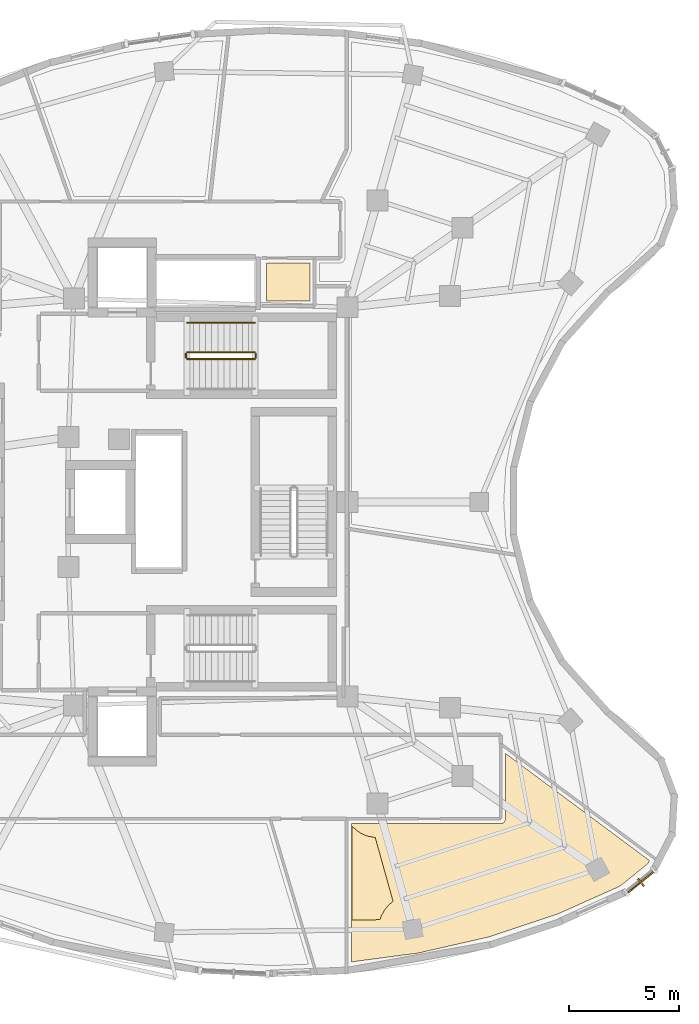
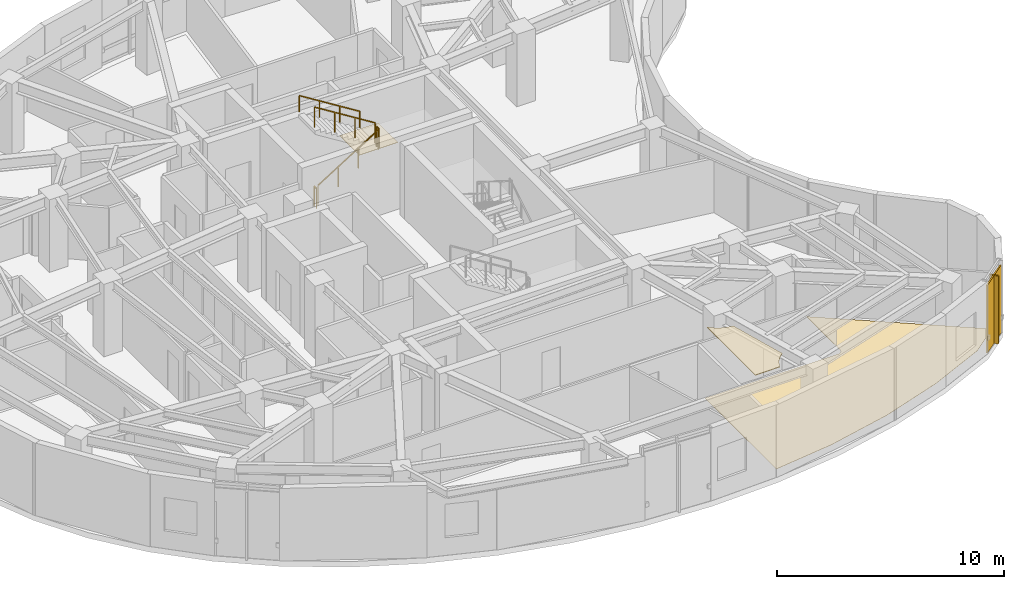
# One storey, part 12 of 13: 5 railings, 3 coverings, 2 shading devices.
"""IFC4 building model written with IfcOpenShell, lengths in metres."""

from ifc_helpers import new_model, si_unit, direction, frame, origin, origin_2d, place, context, subcontext, project, spatial, polyline, rectangle, outline, extrude, material, layer, layer_set, type_object, element, save


model = new_model("IFC4")

# Units and contexts
model_context = context("Model", 3, precision=1e-05, world=origin(), true_north=direction((0.0, 1.0)))
body_context = subcontext(model_context, "Body", "Model", "MODEL_VIEW")
ifc_project = project(units=[si_unit("LENGTHUNIT", "METRE"), si_unit("AREAUNIT", "SQUARE_METRE"), si_unit("VOLUMEUNIT", "CUBIC_METRE"), si_unit("PLANEANGLEUNIT", "RADIAN"), si_unit("MASSUNIT", "GRAM", prefix="KILO")], contexts=[model_context])

# Site, building, storey
site_placement = place(None, origin())
site = spatial("IfcSite", under=ifc_project, at=site_placement, CompositionType="ELEMENT")
building_placement = place(site_placement, origin())
building = spatial("IfcBuilding", under=site, at=building_placement, Name="Korentha Bioscience Tower", CompositionType="ELEMENT")
storey_placement = place(building_placement, frame((0.0, 0.0, 243.60009765625)))
storey = spatial("IfcBuildingStorey", under=building, at=storey_placement, Name="L56", CompositionType="ELEMENT", Elevation=243.60009765625)

# Covering
ifc_material_1 = material(Name="Vitrified Porcelain Tile", Category="ceramic")
ifc_layer_1 = layer(ifc_material_1, 0.014892578125, Name="Vitrified Porcelain Tile")
ifc_layer_set_1 = layer_set([ifc_layer_1], Name="Vitrified Porcelain Tile (FL-CER)")
covering_type_1 = type_object("IfcCoveringType", Name="Anti-Slip Ceramic Wet-Room Tile Flooring 15", PredefinedType="FLOORING", material=ifc_layer_set_1)
covering_1_placement = place(storey_placement, origin())
element("IfcCovering", 1, at=covering_1_placement, inside=storey, type_object=covering_type_1, Name="L56 Accessible Staff WC Floor Finish", PredefinedType="FLOORING", context=body_context, shape_type="SweptSolid", body=[
    extrude(outline(polyline([(33.8701171875, 36.1298828125), (33.8701171875, 37.8701171875), (35.830078125, 37.8701171875), (35.830078125, 36.1298828125), (33.8701171875, 36.1298828125)])), origin(), (0.0, 0.0, 1.0), 0.014892578125),
])

# Railing
ifc_material_2 = material(Name="Stainless Steel 304", Category="steel")
railing_type_1 = type_object("IfcRailingType", Name="Brushed Stainless Stair Handrail 900", PredefinedType="HANDRAIL", material=ifc_material_2)
railing_1_placement = place(storey_placement, frame((33.330078125, 35.14990234375, 2.27490234375)))
element("IfcRailing", 2, at=railing_1_placement, inside=storey, type_object=railing_type_1, Name="L56 ST-1 stair handrail 2", PredefinedType="HANDRAIL", context=body_context, shape_type="SweptSolid", body=[
    extrude(rectangle(XDim=0.048095703125, YDim=0.048095703125, at=origin_2d()), frame((0.0, 0.0, 0.8759765625), z_axis=(-0.847998304005, 0.0, 0.529998940003), x_axis=(0.0, -1.0, 0.0)), (0.0, 0.0, 1.0), 3.632080078125),
    extrude(rectangle(XDim=0.0419921875, YDim=0.0419921875, at=origin_2d()), origin(), (0.0, 0.0, 1.0), 0.851806640625),
    extrude(rectangle(XDim=0.0419921875, YDim=0.0419921875, at=origin_2d()), frame((-1.026611328125, 0.0, 0.6416015625)), (0.0, 0.0, 1.0), 0.851806640625),
    extrude(rectangle(XDim=0.0419921875, YDim=0.0419921875, at=origin_2d()), frame((-2.053466796875, 0.0, 1.283447265625)), (0.0, 0.0, 1.0), 0.851806640625),
    extrude(rectangle(XDim=0.0419921875, YDim=0.0419921875, at=origin_2d()), frame((-3.080078125, 0.0, 1.925048828125)), (0.0, 0.0, 1.0), 0.851806640625),
])

# Covering
ifc_material_3 = material(Name="Antimicrobial Mineral Fibre Board", Category="gypsum")
ifc_layer_2 = layer(ifc_material_3, 0.034912109375, Name="Antimicrobial Mineral Fibre Board")
ifc_layer_set_2 = layer_set([ifc_layer_2], Name="Antimicrobial Mineral Fibre Board (CL-MF35)")
covering_type_2 = type_object("IfcCoveringType", Name="Mineral-Fibre Cleanroom Suspended Ceiling 35", PredefinedType="CEILING", material=ifc_layer_set_2)
covering_2_placement = place(storey_placement, frame((0.0, 0.0, 3.864990234375)))
element("IfcCovering", 3, at=covering_2_placement, inside=storey, type_object=covering_type_2, Name="L56 Grant Review Seminar Room 05 Acoustic Ceiling", PredefinedType="CEILING", context=body_context, shape_type="SweptSolid", body=[
    extrude(outline(polyline([(39.614990234375, 8.840576171875), (39.412841796875, 8.672119140625), (39.22021484375, 8.437255859375), (39.076904296875, 8.169189453125), (39.020751953125, 8.00634765625), (37.758056640625, 7.98974609375), (37.758056640625, 12.2529296875), (37.927734375, 12.087890625), (38.180419921875, 11.9189453125), (38.461181640625, 11.802734375), (38.803466796875, 11.7412109375), (39.614990234375, 8.840576171875)])), origin(), (0.0, 0.0, 1.0), 0.034912109375),
])

# Railings
ifc_material_4 = material(Name="Painted Steel S275", Category="steel")
railing_type_2 = type_object("IfcRailingType", Name="Painted Steel Stair Well Guardrail 1100", PredefinedType="GUARDRAIL", material=ifc_material_4)
railing_2_placement = place(storey_placement, frame((30.25, 33.5, 0.1748046875)))
element("IfcRailing", 4, at=railing_2_placement, inside=storey, type_object=railing_type_2, Name="L56 ST-1 stair guard 1", PredefinedType="GUARDRAIL", context=body_context, shape_type="SweptSolid", body=[
    extrude(rectangle(XDim=0.048095703125, YDim=0.048095703125, at=origin_2d()), frame((0.0, 0.0, 1.076171875), z_axis=(0.847998304005, 0.0, 0.529998940003), x_axis=(0.0, 1.0, 0.0)), (0.0, 0.0, 1.0), 3.632080078125),
    extrude(rectangle(XDim=0.0419921875, YDim=0.0419921875, at=origin_2d()), origin(), (0.0, 0.0, 1.0), 1.052001953125),
    extrude(rectangle(XDim=0.0419921875, YDim=0.0419921875, at=origin_2d()), frame((1.026611328125, 0.0, 0.6416015625)), (0.0, 0.0, 1.0), 1.052001953125),
    extrude(rectangle(XDim=0.0419921875, YDim=0.0419921875, at=origin_2d()), frame((2.053466796875, 0.0, 1.283447265625)), (0.0, 0.0, 1.0), 1.052001953125),
    extrude(rectangle(XDim=0.0419921875, YDim=0.0419921875, at=origin_2d()), frame((3.080078125, 0.0, 1.925048828125)), (0.0, 0.0, 1.0), 1.052001953125),
])
railing_3_placement = place(storey_placement, frame((33.3798828125, 33.550048828125, 2.099853515625)))
element("IfcRailing", 5, at=railing_3_placement, inside=storey, type_object=railing_type_2, Name="L56 ST-1 stair guard 2", PredefinedType="GUARDRAIL", context=body_context, shape_type="SweptSolid", body=[
    extrude(rectangle(XDim=0.048095703125, YDim=0.048095703125, at=origin_2d()), frame((0.0, 0.0, 1.076171875), z_axis=(0.0, 1.0, 0.0), x_axis=(-1.0, 0.0, 0.0)), (0.0, 0.0, 1.0), 0.199951171875),
    extrude(rectangle(XDim=0.0419921875, YDim=0.0419921875, at=origin_2d()), origin(), (0.0, 0.0, 1.0), 1.052001953125),
    extrude(rectangle(XDim=0.0419921875, YDim=0.0419921875, at=origin_2d()), frame((0.0, 0.199951171875, 0.0)), (0.0, 0.0, 1.0), 1.052001953125),
])
railing_4_placement = place(storey_placement, frame((33.330078125, 33.800048828125, 2.27490234375)))
element("IfcRailing", 6, at=railing_4_placement, inside=storey, type_object=railing_type_2, Name="L56 ST-1 stair guard 3", PredefinedType="GUARDRAIL", context=body_context, shape_type="SweptSolid", body=[
    extrude(rectangle(XDim=0.048095703125, YDim=0.048095703125, at=origin_2d()), frame((0.0, 0.0, 1.076171875), z_axis=(-0.847998304005, 0.0, 0.529998940003), x_axis=(0.0, -1.0, 0.0)), (0.0, 0.0, 1.0), 3.632080078125),
    extrude(rectangle(XDim=0.0419921875, YDim=0.0419921875, at=origin_2d()), origin(), (0.0, 0.0, 1.0), 1.052001953125),
    extrude(rectangle(XDim=0.0419921875, YDim=0.0419921875, at=origin_2d()), frame((-1.026611328125, 0.0, 0.6416015625)), (0.0, 0.0, 1.0), 1.052001953125),
    extrude(rectangle(XDim=0.0419921875, YDim=0.0419921875, at=origin_2d()), frame((-2.053466796875, 0.0, 1.283447265625)), (0.0, 0.0, 1.0), 1.052001953125),
    extrude(rectangle(XDim=0.0419921875, YDim=0.0419921875, at=origin_2d()), frame((-3.080078125, 0.0, 1.925048828125)), (0.0, 0.0, 1.0), 1.052001953125),
])
railing_5_placement = place(storey_placement, frame((30.199951171875, 33.550048828125, 0.0)))
element("IfcRailing", 7, at=railing_5_placement, inside=storey, type_object=railing_type_2, Name="L56 ST-1 stair guard 4", PredefinedType="GUARDRAIL", context=body_context, shape_type="SweptSolid", body=[
    extrude(rectangle(XDim=0.048095703125, YDim=0.048095703125, at=origin_2d()), frame((0.0, 0.0, 1.076171875), z_axis=(0.0, 1.0, 0.0), x_axis=(-1.0, 0.0, 0.0)), (0.0, 0.0, 1.0), 0.199951171875),
    extrude(rectangle(XDim=0.0419921875, YDim=0.0419921875, at=origin_2d()), origin(), (0.0, 0.0, 1.0), 1.052001953125),
    extrude(rectangle(XDim=0.0419921875, YDim=0.0419921875, at=origin_2d()), frame((0.0, 0.199951171875, 0.0)), (0.0, 0.0, 1.0), 1.052001953125),
])

# Shading device
ifc_material_5 = material(Name="Perforated Stone-Ceramic Composite", Category="masonry")
ifc_layer_3 = layer(ifc_material_5, 0.06494140625, Name="Perforated Stone-Ceramic Composite")
ifc_layer_set_3 = layer_set([ifc_layer_3], Name="Perforated Stone-Ceramic Composite (CS-01)")
shading_device_type_1 = type_object("IfcShadingDeviceType", Name="Perforated Stone-Ceramic Solar Screen Panel 65", PredefinedType="USERDEFINED", material=ifc_layer_set_3)
shading_device_1_placement = place(storey_placement, frame((50.87353515625, 9.712890625, 0.0), z_axis=(0.0, 0.0, 1.0), x_axis=(0.777226359638, 0.629221094596, 0.0)))
element("IfcShadingDevice", 8, at=shading_device_1_placement, inside=storey, type_object=shading_device_type_1, Name="CW-L56-37 Perforated Stone-Ceramic Solar Screen", ObjectType="SCREEN", PredefinedType="USERDEFINED", context=body_context, shape_type="SweptSolid", body=[
    extrude(rectangle(XDim=1.70703125, YDim=0.06494140625, at=origin_2d()), origin(), (0.0, 0.0, 1.0), 3.64990234375),
])

# Covering
ifc_material_6 = material(Name="Chemical-Resistant Epoxy Resin", Category="polymer")
ifc_layer_4 = layer(ifc_material_6, 0.011962890625, Name="Chemical-Resistant Epoxy Resin")
ifc_layer_set_4 = layer_set([ifc_layer_4], Name="Chemical-Resistant Epoxy Resin (FL-EPX)")
covering_type_3 = type_object("IfcCoveringType", Name="Seamless Epoxy Laboratory Flooring 12", PredefinedType="FLOORING", material=ifc_layer_set_4)
covering_3_placement = place(storey_placement, origin())
element("IfcCovering", 9, at=covering_3_placement, inside=storey, type_object=covering_type_3, Name="L56 Grant Review Seminar Room 05 Floor Finish", PredefinedType="FLOORING", context=body_context, shape_type="SweptSolid", body=[
    extrude(outline(polyline([(43.994384765625, 7.228759765625), (40.76708984375, 6.490478515625), (37.72802734375, 6.08837890625), (37.72802734375, 12.3701171875), (44.5, 12.3701171875), (44.597900390625, 12.391845703125), (44.68505859375, 12.46337890625), (44.729736328125, 12.589111328125), (44.72998046875, 15.562255859375), (51.27587890625, 10.693115234375), (51.20947265625, 10.563720703125), (49.940185546875, 9.5361328125), (47.0791015625, 8.254638671875), (43.994384765625, 7.228759765625)])), origin(), (0.0, 0.0, 1.0), 0.011962890625),
])

# Shading device
ifc_material_7 = material(Name="Honed Travertine Limestone", Category="masonry")
ifc_layer_5 = layer(ifc_material_7, 0.080078125, Name="Honed Travertine Limestone")
ifc_layer_set_5 = layer_set([ifc_layer_5], Name="Honed Travertine Limestone (CS-02)")
shading_device_type_2 = type_object("IfcShadingDeviceType", Name="Vertical Honed Limestone Sunshade Fin 80x420", PredefinedType="USERDEFINED", material=ifc_layer_set_5)
shading_device_2_placement = place(storey_placement, frame((50.88623046875, 9.697509765625, 0.0), z_axis=(0.0, 0.0, 1.0), x_axis=(0.777226359638, 0.629221094596, 0.0)))
element("IfcShadingDevice", 10, at=shading_device_2_placement, inside=storey, type_object=shading_device_type_2, Name="CW-L56-37 Limestone Sunshade Fin", ObjectType="SCREEN", PredefinedType="USERDEFINED", context=body_context, shape_type="SweptSolid", body=[
    extrude(rectangle(XDim=0.080078125, YDim=0.419921875, at=origin_2d()), origin(), (0.0, 0.0, 1.0), 3.64990234375),
])

save(model, "model.ifc")
